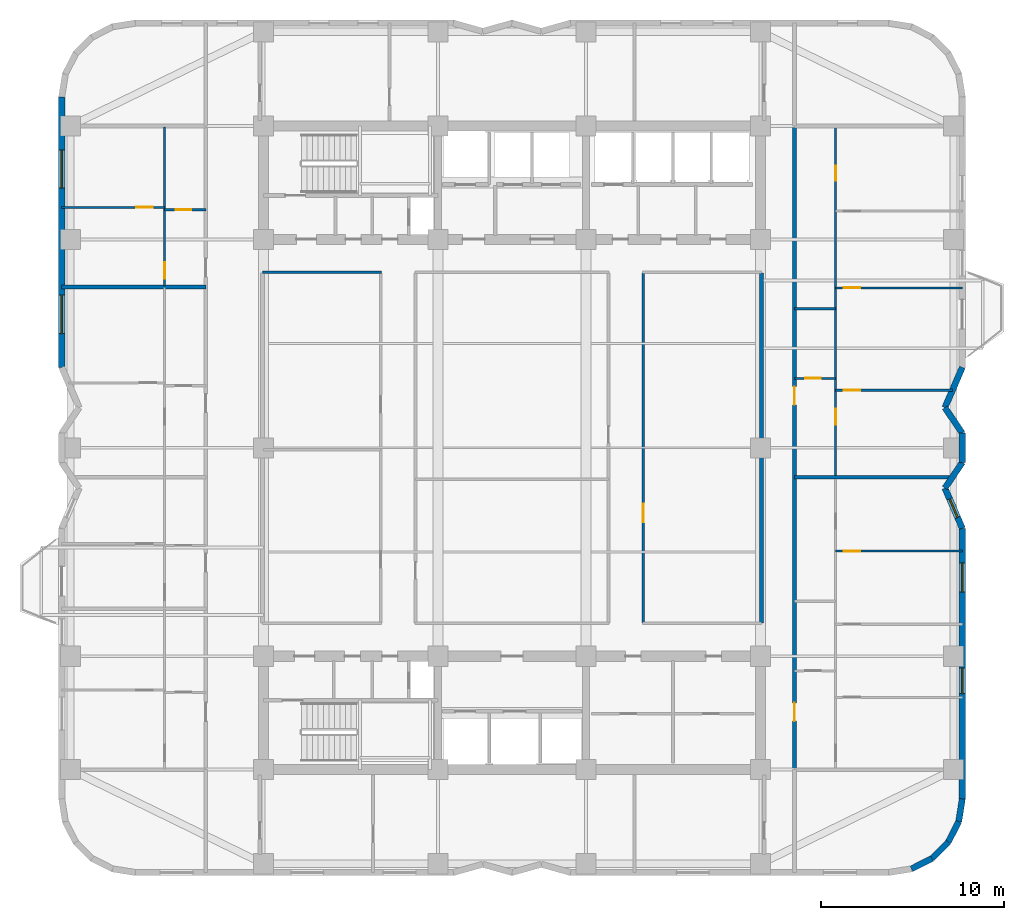
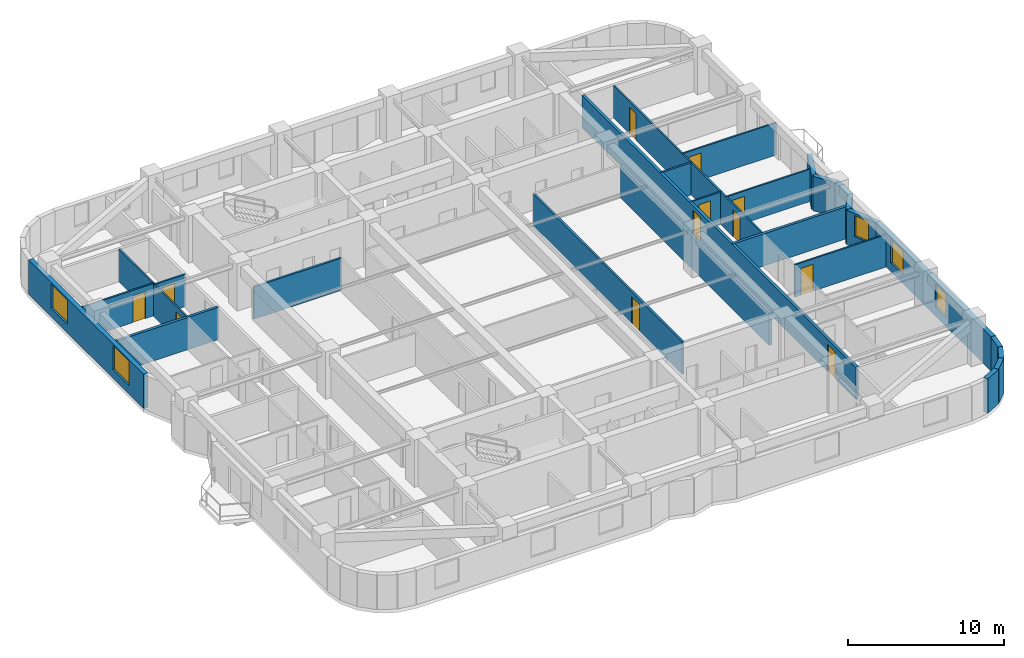
# One storey, part 5 of 9: 26 walls, 12 doors, 5 windows, 17 openings.
"""IFC4 building model written with IfcOpenShell, lengths in metres."""

from ifc_helpers import new_model, si_unit, direction, frame, frame_2d, origin, place, context, subcontext, project, spatial, rectangle, extrude, material, layer, layer_set, type_object, element, fill, save


model = new_model("IFC4")

# Units and contexts
model_context = context("Model", 3, precision=1e-05, world=origin(), true_north=direction((0.0, 1.0)))
body_context = subcontext(model_context, "Body", "Model", "MODEL_VIEW")
ifc_project = project(units=[si_unit("LENGTHUNIT", "METRE"), si_unit("AREAUNIT", "SQUARE_METRE"), si_unit("VOLUMEUNIT", "CUBIC_METRE"), si_unit("PLANEANGLEUNIT", "RADIAN"), si_unit("MASSUNIT", "GRAM", prefix="KILO")], contexts=[model_context])

# Site, building, storey
site_placement = place(None, origin())
site = spatial("IfcSite", under=ifc_project, at=site_placement, CompositionType="ELEMENT")
building_placement = place(site_placement, origin())
building = spatial("IfcBuilding", under=site, at=building_placement, Name="Svetorya Sky Lyceum", CompositionType="ELEMENT")
storey_placement = place(building_placement, frame((0.0, 0.0, 103.10009765625)))
storey = spatial("IfcBuildingStorey", under=building, at=storey_placement, Name="L25", CompositionType="ELEMENT", Elevation=103.10009765625)

# Walls
ifc_material_1 = material(Name="Putilovo limestone rainscreen on autoclaved cellular masonry", Category="masonry")
ifc_layer_1 = layer(ifc_material_1, 0.340087890625)
ifc_layer_set_1 = layer_set([ifc_layer_1], Name="Putilovo limestone rainscreen on autoclaved cellular masonry")
wall_type_1 = type_object("IfcWallType", Name="WL-EXT-340", PredefinedType="SOLIDWALL", material=ifc_layer_set_1)
for number, where, z_axis, x_axis, name in (
    (1, (61.04541015625, 5.167236328125, 0.0), (0.0, 0.0, 1.0), (0.890953769915, 0.454094020963, 0.0), "L25 Limestone Exterior Wall 13M"),
    (2, (62.168701171875, 5.73974609375, 0.0), (0.0, 0.0, 1.0), (0.707203598708, 0.707009950407, 0.0), "L25 Limestone Exterior Wall 14M"),
):
    element("IfcWall", number, at=place(storey_placement, frame(where, z_axis=z_axis, x_axis=x_axis)), inside=storey, type_object=wall_type_1, Name=name, PredefinedType="SOLIDWALL", context=body_context, shape_type="SweptSolid", body=[
        extrude(rectangle(XDim=1.2607421875, YDim=0.340087890625, at=frame_2d((0.63037109375, 0.0))), origin(), (0.0, 0.0, 1.0), 2.699951171875),
    ])
for number, where, z_axis, x_axis, name in (
    (3, (63.060302734375, 6.631103515625, 0.0), (0.0, 0.0, 1.0), (0.454015689056, 0.890993689142, 0.0), "L25 Limestone Exterior Wall 15M"),
    (4, (63.6328125, 7.754638671875, 0.0), (0.0, 0.0, 1.0), (0.15644975923, 0.987685918112, 0.0), "L25 Limestone Exterior Wall 16M"),
):
    element("IfcWall", number, at=place(storey_placement, frame(where, z_axis=z_axis, x_axis=x_axis)), inside=storey, type_object=wall_type_1, Name=name, PredefinedType="SOLIDWALL", context=body_context, shape_type="SweptSolid", body=[
        extrude(rectangle(XDim=1.260986328125, YDim=0.340087890625, at=frame_2d((0.63037109375, 0.0))), origin(), (0.0, 0.0, 1.0), 2.699951171875),
    ])

# Wall, openings, windows
wall_1_placement = place(storey_placement, frame((63.830078125, 9.0, 0.0), z_axis=(0.0, 0.0, 1.0), x_axis=(0.0, 1.0, 0.0)))
wall_1 = element("IfcWall", 5, at=wall_1_placement, inside=storey, type_object=wall_type_1, Name="L25 Limestone Exterior Wall 17M", PredefinedType="SOLIDWALL", context=body_context, shape_type="SweptSolid", body=[
    extrude(rectangle(XDim=14.800048828125, YDim=0.340087890625, at=frame_2d((7.39990234375, 0.0))), origin(), (0.0, 0.0, 1.0), 2.699951171875),
])
opening_1_placement = place(wall_1_placement, frame((5.760009765625, 0.0, 0.68994140625)))
opening_1 = element("IfcOpeningElement", 6, at=opening_1_placement, cuts=wall_1, Name="Opening W-R2", PredefinedType="OPENING", context=body_context, shape_type="SweptSolid", body=[
    extrude(rectangle(XDim=1.39990234375, YDim=1.85009765625, at=frame_2d((0.699951171875, 0.925048828125))), frame((0.0, 0.179931640625, 0.0), z_axis=(0.0, -1.0, 0.0), x_axis=(1.0, 0.0, 0.0)), (0.0, 0.0, 1.0), 0.360107421875),
])
opening_2_placement = place(wall_1_placement, frame((11.3125, 0.0, 0.679931640625)))
opening_2 = element("IfcOpeningElement", 7, at=opening_2_placement, cuts=wall_1, Name="Opening W-R4", PredefinedType="OPENING", context=body_context, shape_type="SweptSolid", body=[
    extrude(rectangle(XDim=1.60009765625, YDim=1.89990234375, at=frame_2d((0.800048828125, 0.949951171875))), frame((0.0, 0.179931640625, 0.0), z_axis=(0.0, -1.0, 0.0), x_axis=(1.0, 0.0, 0.0)), (0.0, 0.0, 1.0), 0.360107421875),
])
ifc_material_2 = material(Name="Thermally broken aluminium frame with triple low-E glazing", Category="aluminium")
window_type_1 = type_object("IfcWindowType", Name="WN-RES-140", PartitioningType="SINGLE_PANEL", PredefinedType="WINDOW", material=ifc_material_2)
window_1_placement = place(opening_1_placement, origin())
window_1 = element("IfcWindow", 8, at=window_1_placement, inside=storey, type_object=window_type_1, Name="L25 Facade Window W-R2.17M.2", OverallHeight=1.85009765625, OverallWidth=1.39990234375, PartitioningType="SINGLE_PANEL", PredefinedType="WINDOW", context=body_context, shape_type="SweptSolid", body=[
    extrude(rectangle(XDim=1.39990234375, YDim=1.85009765625, at=frame_2d((0.699951171875, 0.925048828125))), frame((0.0, 0.030029296875, 0.0), z_axis=(0.0, -1.0, 0.0), x_axis=(1.0, 0.0, 0.0)), (0.0, 0.0, 1.0), 0.06005859375),
])
fill(opening_1, window_1)
window_type_2 = type_object("IfcWindowType", Name="WN-RES-160", PartitioningType="DOUBLE_PANEL_VERTICAL", PredefinedType="WINDOW", material=ifc_material_2)
window_2_placement = place(opening_2_placement, origin())
window_2 = element("IfcWindow", 9, at=window_2_placement, inside=storey, type_object=window_type_2, Name="L25 Facade Window W-R4.17M.1", OverallHeight=1.89990234375, OverallWidth=1.60009765625, PartitioningType="SINGLE_PANEL", PredefinedType="WINDOW", context=body_context, shape_type="SweptSolid", body=[
    extrude(rectangle(XDim=1.60009765625, YDim=1.89990234375, at=frame_2d((0.800048828125, 0.949951171875))), frame((0.0, 0.030029296875, 0.0), z_axis=(0.0, -1.0, 0.0), x_axis=(1.0, 0.0, 0.0)), (0.0, 0.0, 1.0), 0.06005859375),
])
fill(opening_2, window_2)

# Wall, opening, window
wall_2_placement = place(storey_placement, frame((63.830078125, 23.800048828125, 0.0), z_axis=(0.0, 0.0, 1.0), x_axis=(-0.396512124623, 0.918029484835, 0.0)))
wall_2 = element("IfcWall", 10, at=wall_2_placement, inside=storey, type_object=wall_type_1, Name="L25 Limestone Exterior Wall 18M", PredefinedType="SOLIDWALL", context=body_context, shape_type="SweptSolid", body=[
    extrude(rectangle(XDim=2.396484375, YDim=0.340087890625, at=frame_2d((1.1982421875, 0.0))), origin(), (0.0, 0.0, 1.0), 2.699951171875),
])
opening_3_placement = place(wall_2_placement, frame((0.648193359375, 0.0, 0.889892578125)))
opening_3 = element("IfcOpeningElement", 11, at=opening_3_placement, cuts=wall_2, Name="Opening W-R3", PredefinedType="OPENING", context=body_context, shape_type="SweptSolid", body=[
    extrude(rectangle(XDim=1.10009765625, YDim=1.64990234375, at=frame_2d((0.550048828125, 0.824951171875))), frame((0.0, 0.179931640625, 0.0), z_axis=(0.0, -1.0, 0.0), x_axis=(1.0, 0.0, 0.0)), (0.0, 0.0, 1.0), 0.360107421875),
])
window_type_3 = type_object("IfcWindowType", Name="WN-RES-110", PartitioningType="SINGLE_PANEL", PredefinedType="WINDOW", material=ifc_material_2)
window_3_placement = place(opening_3_placement, origin())
window_3 = element("IfcWindow", 12, at=window_3_placement, inside=storey, type_object=window_type_3, Name="L25 Facade Window W-R3.18M.1", OverallHeight=1.64990234375, OverallWidth=1.10009765625, PartitioningType="SINGLE_PANEL", PredefinedType="WINDOW", context=body_context, shape_type="SweptSolid", body=[
    extrude(rectangle(XDim=1.10009765625, YDim=1.64990234375, at=frame_2d((0.550048828125, 0.824951171875))), frame((0.0, 0.030029296875, 0.0), z_axis=(0.0, -1.0, 0.0), x_axis=(1.0, 0.0, 0.0)), (0.0, 0.0, 1.0), 0.06005859375),
])
fill(opening_3, window_3)

# Walls
wall_3_placement = place(storey_placement, frame((62.8798828125, 26.0, 0.0), z_axis=(0.0, 0.0, 1.0), x_axis=(0.561607274182, 0.827403933751, 0.0)))
element("IfcWall", 13, at=wall_3_placement, inside=storey, type_object=wall_type_1, Name="L25 Limestone Exterior Wall 19M", PredefinedType="SOLIDWALL", context=body_context, shape_type="SweptSolid", body=[
    extrude(rectangle(XDim=1.69189453125, YDim=0.340087890625, at=frame_2d((0.845947265625, 0.0))), origin(), (0.0, 0.0, 1.0), 2.699951171875),
])
wall_4_placement = place(storey_placement, frame((63.830078125, 27.39990234375, 0.0), z_axis=(0.0, 0.0, 1.0), x_axis=(0.0, 1.0, 0.0)))
element("IfcWall", 14, at=wall_4_placement, inside=storey, type_object=wall_type_1, Name="L25 Limestone Exterior Wall 20M", PredefinedType="SOLIDWALL", context=body_context, shape_type="SweptSolid", body=[
    extrude(rectangle(XDim=1.60009765625, YDim=0.340087890625, at=frame_2d((0.800048828125, 0.0))), origin(), (0.0, 0.0, 1.0), 2.699951171875),
])
wall_5_placement = place(storey_placement, frame((63.830078125, 29.0, 0.0), z_axis=(0.0, 0.0, 1.0), x_axis=(-0.561607274182, 0.827403933751, 0.0)))
element("IfcWall", 15, at=wall_5_placement, inside=storey, type_object=wall_type_1, Name="L25 Limestone Exterior Wall 21M", PredefinedType="SOLIDWALL", context=body_context, shape_type="SweptSolid", body=[
    extrude(rectangle(XDim=1.69189453125, YDim=0.340087890625, at=frame_2d((0.845947265625, 0.0))), origin(), (0.0, 0.0, 1.0), 2.699951171875),
])
wall_6_placement = place(storey_placement, frame((62.8798828125, 30.39990234375, 0.0), z_axis=(0.0, 0.0, 1.0), x_axis=(0.396475042899, 0.918045500157, 0.0)))
element("IfcWall", 16, at=wall_6_placement, inside=storey, type_object=wall_type_1, Name="L25 Limestone Exterior Wall 22M", PredefinedType="SOLIDWALL", context=body_context, shape_type="SweptSolid", body=[
    extrude(rectangle(XDim=2.396728515625, YDim=0.340087890625, at=frame_2d((1.1982421875, 0.0))), origin(), (0.0, 0.0, 1.0), 2.699951171875),
])

# Wall, openings, windows
wall_7_placement = place(storey_placement, frame((14.570068359375, 47.39990234375, 0.0), z_axis=(0.0, 0.0, 1.0), x_axis=(0.0, -1.0, 0.0)))
wall_7 = element("IfcWall", 17, at=wall_7_placement, inside=storey, type_object=wall_type_1, Name="L25 Limestone Exterior Wall 40M", PredefinedType="SOLIDWALL", context=body_context, shape_type="SweptSolid", body=[
    extrude(rectangle(XDim=14.7998046875, YDim=0.340087890625, at=frame_2d((7.39990234375, 0.0))), origin(), (0.0, 0.0, 1.0), 2.699951171875),
])
opening_4_placement = place(wall_7_placement, frame((2.89990234375, 0.0, 0.679931640625)))
opening_4 = element("IfcOpeningElement", 18, at=opening_4_placement, cuts=wall_7, Name="Opening W-R0", PredefinedType="OPENING", context=body_context, shape_type="SweptSolid", body=[
    extrude(rectangle(XDim=2.10009765625, YDim=1.89990234375, at=frame_2d((1.050048828125, 0.949951171875))), frame((0.0, 0.179931640625, 0.0), z_axis=(0.0, -1.0, 0.0), x_axis=(1.0, 0.0, 0.0)), (0.0, 0.0, 1.0), 0.360107421875),
])
opening_5_placement = place(wall_7_placement, frame((10.85009765625, 0.0, 0.679931640625)))
opening_5 = element("IfcOpeningElement", 19, at=opening_5_placement, cuts=wall_7, Name="Opening W-R0", PredefinedType="OPENING", context=body_context, shape_type="SweptSolid", body=[
    extrude(rectangle(XDim=2.10009765625, YDim=1.89990234375, at=frame_2d((1.050048828125, 0.949951171875))), frame((0.0, 0.179931640625, 0.0), z_axis=(0.0, -1.0, 0.0), x_axis=(1.0, 0.0, 0.0)), (0.0, 0.0, 1.0), 0.360107421875),
])
window_type_4 = type_object("IfcWindowType", Name="WN-RES-210", PartitioningType="TRIPLE_PANEL_VERTICAL", PredefinedType="WINDOW", material=ifc_material_2)
window_4_placement = place(opening_4_placement, origin())
window_4 = element("IfcWindow", 20, at=window_4_placement, inside=storey, type_object=window_type_4, Name="L25 Facade Window W-R0.40M.1", OverallHeight=1.89990234375, OverallWidth=2.10009765625, PartitioningType="SINGLE_PANEL", PredefinedType="WINDOW", context=body_context, shape_type="SweptSolid", body=[
    extrude(rectangle(XDim=2.10009765625, YDim=1.89990234375, at=frame_2d((1.050048828125, 0.949951171875))), frame((0.0, 0.030029296875, 0.0), z_axis=(0.0, -1.0, 0.0), x_axis=(1.0, 0.0, 0.0)), (0.0, 0.0, 1.0), 0.06005859375),
])
fill(opening_4, window_4)
window_5_placement = place(opening_5_placement, origin())
window_5 = element("IfcWindow", 21, at=window_5_placement, inside=storey, type_object=window_type_4, Name="L25 Facade Window W-R0.40M.2", OverallHeight=1.89990234375, OverallWidth=2.10009765625, PartitioningType="SINGLE_PANEL", PredefinedType="WINDOW", context=body_context, shape_type="SweptSolid", body=[
    extrude(rectangle(XDim=2.10009765625, YDim=1.89990234375, at=frame_2d((1.050048828125, 0.949951171875))), frame((0.0, 0.030029296875, 0.0), z_axis=(0.0, -1.0, 0.0), x_axis=(1.0, 0.0, 0.0)), (0.0, 0.0, 1.0), 0.06005859375),
])
fill(opening_5, window_5)

# Wall, opening, door
ifc_material_3 = material(Name="Twin-stud galvanized framing with double fireboard", Category="gypsum")
ifc_layer_2 = layer(ifc_material_3, 0.1201171875)
ifc_layer_set_2 = layer_set([ifc_layer_2], Name="Twin-stud galvanized framing with double fireboard")
wall_type_2 = type_object("IfcWallType", Name="WL-PART-120", PredefinedType="PARTITIONING", material=ifc_layer_set_2)
wall_8_placement = place(storey_placement, frame((20.199951171875, 41.219970703125, 0.0), z_axis=(0.0, 0.0, 1.0), x_axis=(1.0, 0.0, 0.0)))
wall_8 = element("IfcWall", 22, at=wall_8_placement, inside=storey, type_object=wall_type_2, Name="L25 Interior Partition W4-WH1", PredefinedType="PARTITIONING", context=body_context, shape_type="SweptSolid", body=[
    extrude(rectangle(XDim=2.25, YDim=0.1201171875, at=frame_2d((1.125, 0.0))), origin(), (0.0, 0.0, 1.0), 2.52978515625),
])
opening_6_placement = place(wall_8_placement, frame((0.60009765625, 0.0, 0.0)))
opening_6 = element("IfcOpeningElement", 23, at=opening_6_placement, cuts=wall_8, Name="Opening D-BT1", PredefinedType="OPENING", context=body_context, shape_type="SweptSolid", body=[
    extrude(rectangle(XDim=0.85009765625, YDim=2.10009765625, at=frame_2d((0.425048828125, 1.050048828125))), frame((0.0, 0.070068359375, 0.0), z_axis=(0.0, -1.0, 0.0), x_axis=(1.0, 0.0, 0.0)), (0.0, 0.0, 1.0), 0.14013671875),
])
ifc_material_4 = material(Name="Moisture-resistant laminate bathroom door")
door_type_1 = type_object("IfcDoorType", Name="DR-WET-850", OperationType="SINGLE_SWING_LEFT", PredefinedType="DOOR", material=ifc_material_4)
door_1_placement = place(opening_6_placement, origin())
door_1 = element("IfcDoor", 24, at=door_1_placement, inside=storey, type_object=door_type_1, Name="Apartment W4 Bathroom Door", OperationType="SINGLE_SWING_RIGHT", OverallHeight=2.10009765625, OverallWidth=0.85009765625, PredefinedType="DOOR", context=body_context, shape_type="SweptSolid", body=[
    extrude(rectangle(XDim=0.85009765625, YDim=2.10009765625, at=frame_2d((0.425048828125, 1.050048828125))), frame((0.0, 0.02490234375, 0.0), z_axis=(0.0, -1.0, 0.0), x_axis=(1.0, 0.0, 0.0)), (0.0, 0.0, 1.0), 0.050048828125),
])
fill(opening_6, door_1)

wall_9_placement = place(storey_placement, frame((14.570068359375, 41.35009765625, 0.0), z_axis=(0.0, 0.0, 1.0), x_axis=(1.0, 0.0, 0.0)))
wall_9 = element("IfcWall", 25, at=wall_9_placement, inside=storey, type_object=wall_type_2, Name="L25 Interior Partition W4-WL1", PredefinedType="PARTITIONING", context=body_context, shape_type="SweptSolid", body=[
    extrude(rectangle(XDim=5.6298828125, YDim=0.1201171875, at=frame_2d((2.81494140625, 0.0))), origin(), (0.0, 0.0, 1.0), 2.52978515625),
])
opening_7_placement = place(wall_9_placement, frame((4.080078125, 0.0, 0.0)))
opening_7 = element("IfcOpeningElement", 26, at=opening_7_placement, cuts=wall_9, Name="Opening D-RM1", PredefinedType="OPENING", context=body_context, shape_type="SweptSolid", body=[
    extrude(rectangle(XDim=0.89990234375, YDim=2.10009765625, at=frame_2d((0.449951171875, 1.050048828125))), frame((0.0, 0.070068359375, 0.0), z_axis=(0.0, -1.0, 0.0), x_axis=(1.0, 0.0, 0.0)), (0.0, 0.0, 1.0), 0.14013671875),
])
ifc_material_5 = material(Name="Lacquered birch veneer internal door")
door_type_2 = type_object("IfcDoorType", Name="DR-INT-900", OperationType="SINGLE_SWING_LEFT", PredefinedType="DOOR", material=ifc_material_5)
door_2_placement = place(opening_7_placement, origin())
door_2 = element("IfcDoor", 27, at=door_2_placement, inside=storey, type_object=door_type_2, Name="Apartment W4 Bedroom 1 Door", OperationType="SINGLE_SWING_RIGHT", OverallHeight=2.10009765625, OverallWidth=0.89990234375, PredefinedType="DOOR", context=body_context, shape_type="SweptSolid", body=[
    extrude(rectangle(XDim=0.89990234375, YDim=2.10009765625, at=frame_2d((0.449951171875, 1.050048828125))), frame((0.0, 0.02490234375, 0.0), z_axis=(0.0, -1.0, 0.0), x_axis=(1.0, 0.0, 0.0)), (0.0, 0.0, 1.0), 0.050048828125),
])
fill(opening_7, door_2)

wall_10_placement = place(storey_placement, frame((20.199951171875, 37.0400390625, 0.0), z_axis=(0.0, 0.0, 1.0), x_axis=(0.0, 1.0, 0.0)))
wall_10 = element("IfcWall", 28, at=wall_10_placement, inside=storey, type_object=wall_type_2, Name="L25 Interior Partition W4-WV", PredefinedType="PARTITIONING", context=body_context, shape_type="SweptSolid", body=[
    extrude(rectangle(XDim=8.719970703125, YDim=0.1201171875, at=frame_2d((4.35986328125, 0.0))), origin(), (0.0, 0.0, 1.0), 2.52978515625),
])
opening_8_placement = place(wall_10_placement, frame((0.409912109375, 0.0, 0.0)))
opening_8 = element("IfcOpeningElement", 29, at=opening_8_placement, cuts=wall_10, Name="Opening D-RM1", PredefinedType="OPENING", context=body_context, shape_type="SweptSolid", body=[
    extrude(rectangle(XDim=0.89990234375, YDim=2.10009765625, at=frame_2d((0.449951171875, 1.050048828125))), frame((0.0, 0.070068359375, 0.0), z_axis=(0.0, -1.0, 0.0), x_axis=(1.0, 0.0, 0.0)), (0.0, 0.0, 1.0), 0.14013671875),
])
door_3_placement = place(opening_8_placement, origin())
door_3 = element("IfcDoor", 30, at=door_3_placement, inside=storey, type_object=door_type_2, Name="Apartment W4 Living Door", OperationType="SINGLE_SWING_LEFT", OverallHeight=2.10009765625, OverallWidth=0.89990234375, PredefinedType="DOOR", context=body_context, shape_type="SweptSolid", body=[
    extrude(rectangle(XDim=0.89990234375, YDim=2.10009765625, at=frame_2d((0.449951171875, 1.050048828125))), frame((0.0, 0.02490234375, 0.0), z_axis=(0.0, -1.0, 0.0), x_axis=(1.0, 0.0, 0.0)), (0.0, 0.0, 1.0), 0.050048828125),
])
fill(opening_8, door_3)

wall_11_placement = place(storey_placement, frame((56.89990234375, 22.550048828125, 0.0), z_axis=(0.0, 0.0, 1.0), x_axis=(1.0, 0.0, 0.0)))
wall_11 = element("IfcWall", 31, at=wall_11_placement, inside=storey, type_object=wall_type_2, Name="L25 Interior Partition E1-WL3", PredefinedType="PARTITIONING", context=body_context, shape_type="SweptSolid", body=[
    extrude(rectangle(XDim=6.93017578125, YDim=0.1201171875, at=frame_2d((3.465087890625, 0.0))), origin(), (0.0, 0.0, 1.0), 2.52978515625),
])
opening_9_placement = place(wall_11_placement, frame((0.449951171875, 0.0, 0.0)))
opening_9 = element("IfcOpeningElement", 32, at=opening_9_placement, cuts=wall_11, Name="Opening D-RM1", PredefinedType="OPENING", context=body_context, shape_type="SweptSolid", body=[
    extrude(rectangle(XDim=0.89990234375, YDim=2.10009765625, at=frame_2d((0.449951171875, 1.050048828125))), frame((0.0, 0.070068359375, 0.0), z_axis=(0.0, -1.0, 0.0), x_axis=(1.0, 0.0, 0.0)), (0.0, 0.0, 1.0), 0.14013671875),
])
door_4_placement = place(opening_9_placement, origin())
door_4 = element("IfcDoor", 33, at=door_4_placement, inside=storey, type_object=door_type_2, Name="Apartment E1 Bedroom 3 Door", OperationType="SINGLE_SWING_RIGHT", OverallHeight=2.10009765625, OverallWidth=0.89990234375, PredefinedType="DOOR", context=body_context, shape_type="SweptSolid", body=[
    extrude(rectangle(XDim=0.89990234375, YDim=2.10009765625, at=frame_2d((0.449951171875, 1.050048828125))), frame((0.0, 0.02490234375, 0.0), z_axis=(0.0, -1.0, 0.0), x_axis=(1.0, 0.0, 0.0)), (0.0, 0.0, 1.0), 0.050048828125),
])
fill(opening_9, door_4)

wall_12_placement = place(storey_placement, frame((54.64990234375, 32.0, 0.0), z_axis=(0.0, 0.0, 1.0), x_axis=(1.0, 0.0, 0.0)))
wall_12 = element("IfcWall", 34, at=wall_12_placement, inside=storey, type_object=wall_type_2, Name="L25 Interior Partition E2-WH1", PredefinedType="PARTITIONING", context=body_context, shape_type="SweptSolid", body=[
    extrude(rectangle(XDim=2.25, YDim=0.1201171875, at=frame_2d((1.125, 0.0))), origin(), (0.0, 0.0, 1.0), 2.52978515625),
])
opening_10_placement = place(wall_12_placement, frame((0.60009765625, 0.0, 0.0)))
opening_10 = element("IfcOpeningElement", 35, at=opening_10_placement, cuts=wall_12, Name="Opening D-BT1", PredefinedType="OPENING", context=body_context, shape_type="SweptSolid", body=[
    extrude(rectangle(XDim=0.85009765625, YDim=2.10009765625, at=frame_2d((0.425048828125, 1.050048828125))), frame((0.0, 0.070068359375, 0.0), z_axis=(0.0, -1.0, 0.0), x_axis=(1.0, 0.0, 0.0)), (0.0, 0.0, 1.0), 0.14013671875),
])
door_5_placement = place(opening_10_placement, origin())
door_5 = element("IfcDoor", 36, at=door_5_placement, inside=storey, type_object=door_type_1, Name="Apartment E2 Bathroom Door", OperationType="SINGLE_SWING_LEFT", OverallHeight=2.10009765625, OverallWidth=0.85009765625, PredefinedType="DOOR", context=body_context, shape_type="SweptSolid", body=[
    extrude(rectangle(XDim=0.85009765625, YDim=2.10009765625, at=frame_2d((0.425048828125, 1.050048828125))), frame((0.0, 0.02490234375, 0.0), z_axis=(0.0, -1.0, 0.0), x_axis=(1.0, 0.0, 0.0)), (0.0, 0.0, 1.0), 0.050048828125),
])
fill(opening_10, door_5)

wall_13_placement = place(storey_placement, frame((56.89990234375, 31.35009765625, 0.0), z_axis=(0.0, 0.0, 1.0), x_axis=(1.0, 0.0, 0.0)))
wall_13 = element("IfcWall", 37, at=wall_13_placement, inside=storey, type_object=wall_type_2, Name="L25 Interior Partition E2-WL1", PredefinedType="PARTITIONING", context=body_context, shape_type="SweptSolid", body=[
    extrude(rectangle(XDim=6.390380859375, YDim=0.1201171875, at=frame_2d((3.1953125, 0.0))), origin(), (0.0, 0.0, 1.0), 2.52978515625),
])
opening_11_placement = place(wall_13_placement, frame((0.449951171875, 0.0, 0.0)))
opening_11 = element("IfcOpeningElement", 38, at=opening_11_placement, cuts=wall_13, Name="Opening D-RM1", PredefinedType="OPENING", context=body_context, shape_type="SweptSolid", body=[
    extrude(rectangle(XDim=0.89990234375, YDim=2.10009765625, at=frame_2d((0.449951171875, 1.050048828125))), frame((0.0, 0.070068359375, 0.0), z_axis=(0.0, -1.0, 0.0), x_axis=(1.0, 0.0, 0.0)), (0.0, 0.0, 1.0), 0.14013671875),
])
door_6_placement = place(opening_11_placement, origin())
door_6 = element("IfcDoor", 39, at=door_6_placement, inside=storey, type_object=door_type_2, Name="Apartment E2 Master Bedroom Door", OperationType="SINGLE_SWING_LEFT", OverallHeight=2.10009765625, OverallWidth=0.89990234375, PredefinedType="DOOR", context=body_context, shape_type="SweptSolid", body=[
    extrude(rectangle(XDim=0.89990234375, YDim=2.10009765625, at=frame_2d((0.449951171875, 1.050048828125))), frame((0.0, 0.02490234375, 0.0), z_axis=(0.0, -1.0, 0.0), x_axis=(1.0, 0.0, 0.0)), (0.0, 0.0, 1.0), 0.050048828125),
])
fill(opening_11, door_6)

wall_14_placement = place(storey_placement, frame((56.89990234375, 36.949951171875, 0.0), z_axis=(0.0, 0.0, 1.0), x_axis=(1.0, 0.0, 0.0)))
wall_14 = element("IfcWall", 40, at=wall_14_placement, inside=storey, type_object=wall_type_2, Name="L25 Interior Partition E2-WL2", PredefinedType="PARTITIONING", context=body_context, shape_type="SweptSolid", body=[
    extrude(rectangle(XDim=6.93017578125, YDim=0.1201171875, at=frame_2d((3.465087890625, 0.0))), origin(), (0.0, 0.0, 1.0), 2.52978515625),
])
opening_12_placement = place(wall_14_placement, frame((0.449951171875, 0.0, 0.0)))
opening_12 = element("IfcOpeningElement", 41, at=opening_12_placement, cuts=wall_14, Name="Opening D-RM1", PredefinedType="OPENING", context=body_context, shape_type="SweptSolid", body=[
    extrude(rectangle(XDim=0.89990234375, YDim=2.10009765625, at=frame_2d((0.449951171875, 1.050048828125))), frame((0.0, 0.070068359375, 0.0), z_axis=(0.0, -1.0, 0.0), x_axis=(1.0, 0.0, 0.0)), (0.0, 0.0, 1.0), 0.14013671875),
])
door_7_placement = place(opening_12_placement, origin())
door_7 = element("IfcDoor", 42, at=door_7_placement, inside=storey, type_object=door_type_2, Name="Apartment E2 Bedroom 2 Door", OperationType="SINGLE_SWING_RIGHT", OverallHeight=2.10009765625, OverallWidth=0.89990234375, PredefinedType="DOOR", context=body_context, shape_type="SweptSolid", body=[
    extrude(rectangle(XDim=0.89990234375, YDim=2.10009765625, at=frame_2d((0.449951171875, 1.050048828125))), frame((0.0, 0.02490234375, 0.0), z_axis=(0.0, -1.0, 0.0), x_axis=(1.0, 0.0, 0.0)), (0.0, 0.0, 1.0), 0.050048828125),
])
fill(opening_12, door_7)

# Wall, openings, doors
wall_15_placement = place(storey_placement, frame((56.89990234375, 26.639892578125, 0.0), z_axis=(0.0, 0.0, 1.0), x_axis=(0.0, 1.0, 0.0)))
wall_15 = element("IfcWall", 43, at=wall_15_placement, inside=storey, type_object=wall_type_2, Name="L25 Interior Partition E2-WV", PredefinedType="PARTITIONING", context=body_context, shape_type="SweptSolid", body=[
    extrude(rectangle(XDim=19.1201171875, YDim=0.1201171875, at=frame_2d((9.56005859375, 0.0))), origin(), (0.0, 0.0, 1.0), 2.52978515625),
])
opening_13_placement = place(wall_15_placement, frame((2.81005859375, 0.0, 0.0)))
opening_13 = element("IfcOpeningElement", 44, at=opening_13_placement, cuts=wall_15, Name="Opening D-RM1", PredefinedType="OPENING", context=body_context, shape_type="SweptSolid", body=[
    extrude(rectangle(XDim=0.89990234375, YDim=2.10009765625, at=frame_2d((0.449951171875, 1.050048828125))), frame((0.0, 0.070068359375, 0.0), z_axis=(0.0, -1.0, 0.0), x_axis=(1.0, 0.0, 0.0)), (0.0, 0.0, 1.0), 0.14013671875),
])
opening_14_placement = place(wall_15_placement, frame((16.179931640625, 0.0, 0.0)))
opening_14 = element("IfcOpeningElement", 45, at=opening_14_placement, cuts=wall_15, Name="Opening D-BT2", PredefinedType="OPENING", context=body_context, shape_type="SweptSolid", body=[
    extrude(rectangle(XDim=0.820068359375, YDim=2.080078125, at=frame_2d((0.41015625, 1.0400390625))), frame((0.0, 0.070068359375, 0.0), z_axis=(0.0, -1.0, 0.0), x_axis=(1.0, 0.0, 0.0)), (0.0, 0.0, 1.0), 0.14013671875),
])
door_8_placement = place(opening_13_placement, origin())
door_8 = element("IfcDoor", 46, at=door_8_placement, inside=storey, type_object=door_type_2, Name="Apartment E2 Living Door", OperationType="SINGLE_SWING_RIGHT", OverallHeight=2.10009765625, OverallWidth=0.89990234375, PredefinedType="DOOR", context=body_context, shape_type="SweptSolid", body=[
    extrude(rectangle(XDim=0.89990234375, YDim=2.10009765625, at=frame_2d((0.449951171875, 1.050048828125))), frame((0.0, 0.02490234375, 0.0), z_axis=(0.0, -1.0, 0.0), x_axis=(1.0, 0.0, 0.0)), (0.0, 0.0, 1.0), 0.050048828125),
])
fill(opening_13, door_8)
ifc_material_6 = material(Name="Compact moisture-resistant laminate closet door")
door_type_3 = type_object("IfcDoorType", Name="DR-WET-820", OperationType="SINGLE_SWING_LEFT", PredefinedType="DOOR", material=ifc_material_6)
door_9_placement = place(opening_14_placement, origin())
door_9 = element("IfcDoor", 47, at=door_9_placement, inside=storey, type_object=door_type_3, Name="Apartment E2 Study Door", OperationType="SINGLE_SWING_LEFT", OverallHeight=2.080078125, OverallWidth=0.820068359375, PredefinedType="DOOR", context=body_context, shape_type="SweptSolid", body=[
    extrude(rectangle(XDim=0.820068359375, YDim=2.080078125, at=frame_2d((0.41015625, 1.0400390625))), frame((0.0, 0.02490234375, 0.0), z_axis=(0.0, -1.0, 0.0), x_axis=(1.0, 0.0, 0.0)), (0.0, 0.0, 1.0), 0.050048828125),
])
fill(opening_14, door_9)

# Walls
ifc_material_7 = material(Name="Twin-stud galvanized framing with acoustic board", Category="gypsum")
ifc_layer_3 = layer(ifc_material_7, 0.135009765625)
ifc_layer_set_3 = layer_set([ifc_layer_3], Name="Twin-stud galvanized framing with acoustic board")
wall_type_3 = type_object("IfcWallType", Name="WL-PART-135", PredefinedType="PARTITIONING", material=ifc_layer_set_3)
wall_16_placement = place(storey_placement, frame((54.64990234375, 35.800048828125, 0.0), z_axis=(0.0, 0.0, 1.0), x_axis=(1.0, 0.0, 0.0)))
element("IfcWall", 48, at=wall_16_placement, inside=storey, type_object=wall_type_3, Name="L25 Interior Partition E2-WH2", PredefinedType="PARTITIONING", context=body_context, shape_type="SweptSolid", body=[
    extrude(rectangle(XDim=2.25, YDim=0.135009765625, at=frame_2d((1.125, 0.0))), origin(), (0.0, 0.0, 1.0), 2.52978515625),
])
ifc_material_8 = material(Name="Autoclaved cellular masonry blockwork with acoustic render", Category="masonry")
ifc_layer_4 = layer(ifc_material_8, 0.14990234375)
ifc_layer_set_4 = layer_set([ifc_layer_4], Name="Autoclaved cellular masonry blockwork with acoustic render")
wall_type_4 = type_object("IfcWallType", Name="WL-PART-150", PredefinedType="PARTITIONING", material=ifc_layer_set_4)
wall_17_placement = place(storey_placement, frame((25.550048828125, 37.800048828125, 0.0), z_axis=(0.0, 0.0, 1.0), x_axis=(1.0, 0.0, 0.0)))
element("IfcWall", 49, at=wall_17_placement, inside=storey, type_object=wall_type_4, Name="L25 Interior Partition RL-CN-W", PredefinedType="PARTITIONING", context=body_context, shape_type="SweptSolid", body=[
    extrude(rectangle(XDim=6.5, YDim=0.14990234375, at=frame_2d((3.25, 0.0))), origin(), (0.0, 0.0, 1.0), 2.52978515625),
])

# Wall, opening, door
wall_18_placement = place(storey_placement, frame((46.3798828125, 18.6298828125, 0.0), z_axis=(0.0, 0.0, 1.0), x_axis=(0.0, 1.0, 0.0)))
wall_18 = element("IfcWall", 50, at=wall_18_placement, inside=storey, type_object=wall_type_4, Name="L25 Interior Partition ISL-EE", PredefinedType="PARTITIONING", context=body_context, shape_type="SweptSolid", body=[
    extrude(rectangle(XDim=19.14013671875, YDim=0.14990234375, at=frame_2d((9.570068359375, 0.0))), origin(), (0.0, 0.0, 1.0), 2.52978515625),
])
opening_15_placement = place(wall_18_placement, frame((5.5, 0.0, 0.0)))
opening_15 = element("IfcOpeningElement", 51, at=opening_15_placement, cuts=wall_18, Name="Opening D-RM2", PredefinedType="OPENING", context=body_context, shape_type="SweptSolid", body=[
    extrude(rectangle(XDim=1.0, YDim=2.14990234375, at=frame_2d((0.5, 1.074951171875))), frame((0.0, 0.0849609375, 0.0), z_axis=(0.0, -1.0, 0.0), x_axis=(1.0, 0.0, 0.0)), (0.0, 0.0, 1.0), 0.169921875),
])
ifc_material_9 = material(Name="Solid-core oak acoustic room door")
door_type_4 = type_object("IfcDoorType", Name="DR-INT-1000", OperationType="SINGLE_SWING_LEFT", PredefinedType="DOOR", material=ifc_material_9)
door_10_placement = place(opening_15_placement, origin())
door_10 = element("IfcDoor", 52, at=door_10_placement, inside=storey, type_object=door_type_4, Name="L25 East Seminar Door", OperationType="SINGLE_SWING_LEFT", OverallHeight=2.14990234375, OverallWidth=1.0, PredefinedType="DOOR", context=body_context, shape_type="SweptSolid", body=[
    extrude(rectangle(XDim=1.0, YDim=2.14990234375, at=frame_2d((0.5, 1.074951171875))), frame((0.0, 0.02490234375, 0.0), z_axis=(0.0, -1.0, 0.0), x_axis=(1.0, 0.0, 0.0)), (0.0, 0.0, 1.0), 0.050048828125),
])
fill(opening_15, door_10)

# Walls
ifc_material_10 = material(Name="Autoclaved cellular masonry blockwork with gypsum plaster", Category="masonry")
ifc_layer_5 = layer(ifc_material_10, 0.199951171875)
ifc_layer_set_5 = layer_set([ifc_layer_5], Name="Autoclaved cellular masonry blockwork with gypsum plaster")
wall_type_5 = type_object("IfcWallType", Name="WL-PART-200", PredefinedType="PARTITIONING", material=ifc_layer_set_5)
wall_19_placement = place(storey_placement, frame((52.85009765625, 18.6298828125, 0.0), z_axis=(0.0, 0.0, 1.0), x_axis=(0.0, 1.0, 0.0)))
element("IfcWall", 53, at=wall_19_placement, inside=storey, type_object=wall_type_5, Name="L25 Interior Partition E-CEN-SEP", PredefinedType="PARTITIONING", context=body_context, shape_type="SweptSolid", body=[
    extrude(rectangle(XDim=19.14013671875, YDim=0.199951171875, at=frame_2d((9.570068359375, 0.0))), origin(), (0.0, 0.0, 1.0), 2.52978515625),
])
wall_20_placement = place(storey_placement, frame((14.570068359375, 37.0, 0.0), z_axis=(0.0, 0.0, 1.0), x_axis=(1.0, 0.0, 0.0)))
element("IfcWall", 54, at=wall_20_placement, inside=storey, type_object=wall_type_5, Name="L25 Interior Partition W-PARTY-3", PredefinedType="PARTITIONING", context=body_context, shape_type="SweptSolid", body=[
    extrude(rectangle(XDim=7.8798828125, YDim=0.199951171875, at=frame_2d((3.93994140625, 0.0))), origin(), (0.0, 0.0, 1.0), 2.52978515625),
])
wall_21_placement = place(storey_placement, frame((54.64990234375, 26.60009765625, 0.0), z_axis=(0.0, 0.0, 1.0), x_axis=(1.0, 0.0, 0.0)))
element("IfcWall", 55, at=wall_21_placement, inside=storey, type_object=wall_type_5, Name="L25 Interior Partition E-PARTY-1", PredefinedType="PARTITIONING", context=body_context, shape_type="SweptSolid", body=[
    extrude(rectangle(XDim=8.63720703125, YDim=0.199951171875, at=frame_2d((4.318603515625, 0.0))), origin(), (0.0, 0.0, 1.0), 2.52978515625),
])

# Wall, openings, doors
wall_22_placement = place(storey_placement, frame((54.64990234375, 10.60009765625, 0.0), z_axis=(0.0, 0.0, 1.0), x_axis=(0.0, 1.0, 0.0)))
wall_22 = element("IfcWall", 56, at=wall_22_placement, inside=storey, type_object=wall_type_5, Name="L25 Interior Partition E-CORRW", PredefinedType="PARTITIONING", context=body_context, shape_type="SweptSolid", body=[
    extrude(rectangle(XDim=35.199951171875, YDim=0.199951171875, at=frame_2d((17.60009765625, 0.0))), origin(), (0.0, 0.0, 1.0), 2.52978515625),
])
opening_16_placement = place(wall_22_placement, frame((2.64990234375, 0.0, 0.0)))
opening_16 = element("IfcOpeningElement", 57, at=opening_16_placement, cuts=wall_22, Name="Opening D-APT1", PredefinedType="OPENING", context=body_context, shape_type="SweptSolid", body=[
    extrude(rectangle(XDim=1.0, YDim=2.14990234375, at=frame_2d((0.5, 1.074951171875))), frame((0.0, 0.10986328125, 0.0), z_axis=(0.0, -1.0, 0.0), x_axis=(1.0, 0.0, 0.0)), (0.0, 0.0, 1.0), 0.219970703125),
])
opening_17_placement = place(wall_22_placement, frame((19.949951171875, 0.0, 0.0)))
opening_17 = element("IfcOpeningElement", 58, at=opening_17_placement, cuts=wall_22, Name="Opening D-APT1", PredefinedType="OPENING", context=body_context, shape_type="SweptSolid", body=[
    extrude(rectangle(XDim=1.0, YDim=2.14990234375, at=frame_2d((0.5, 1.074951171875))), frame((0.0, 0.10986328125, 0.0), z_axis=(0.0, -1.0, 0.0), x_axis=(1.0, 0.0, 0.0)), (0.0, 0.0, 1.0), 0.219970703125),
])
ifc_material_11 = material(Name="Insulated oak-veneered apartment entrance door")
door_type_5 = type_object("IfcDoorType", Name="DR-APT-1000", OperationType="SINGLE_SWING_LEFT", PredefinedType="DOOR", material=ifc_material_11)
door_11_placement = place(opening_16_placement, origin())
door_11 = element("IfcDoor", 59, at=door_11_placement, inside=storey, type_object=door_type_5, Name="L25 Apartment E1 Entrance Door", OperationType="SINGLE_SWING_RIGHT", OverallHeight=2.14990234375, OverallWidth=1.0, PredefinedType="DOOR", context=body_context, shape_type="SweptSolid", body=[
    extrude(rectangle(XDim=1.0, YDim=2.14990234375, at=frame_2d((0.5, 1.074951171875))), frame((0.0, 0.02490234375, 0.0), z_axis=(0.0, -1.0, 0.0), x_axis=(1.0, 0.0, 0.0)), (0.0, 0.0, 1.0), 0.050048828125),
])
fill(opening_16, door_11)
door_12_placement = place(opening_17_placement, origin())
door_12 = element("IfcDoor", 60, at=door_12_placement, inside=storey, type_object=door_type_5, Name="L25 Apartment E2 Entrance Door", OperationType="SINGLE_SWING_LEFT", OverallHeight=2.14990234375, OverallWidth=1.0, PredefinedType="DOOR", context=body_context, shape_type="SweptSolid", body=[
    extrude(rectangle(XDim=1.0, YDim=2.14990234375, at=frame_2d((0.5, 1.074951171875))), frame((0.0, 0.02490234375, 0.0), z_axis=(0.0, -1.0, 0.0), x_axis=(1.0, 0.0, 0.0)), (0.0, 0.0, 1.0), 0.050048828125),
])
fill(opening_17, door_12)

save(model, "model.ifc")
